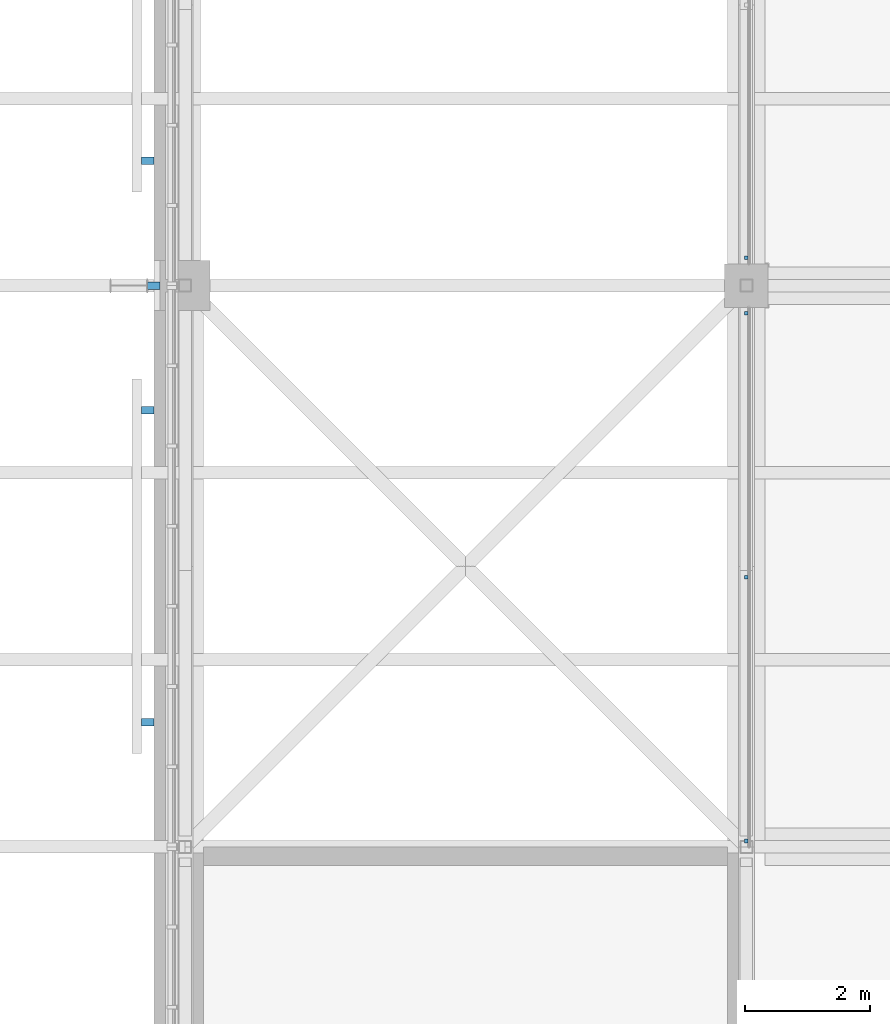
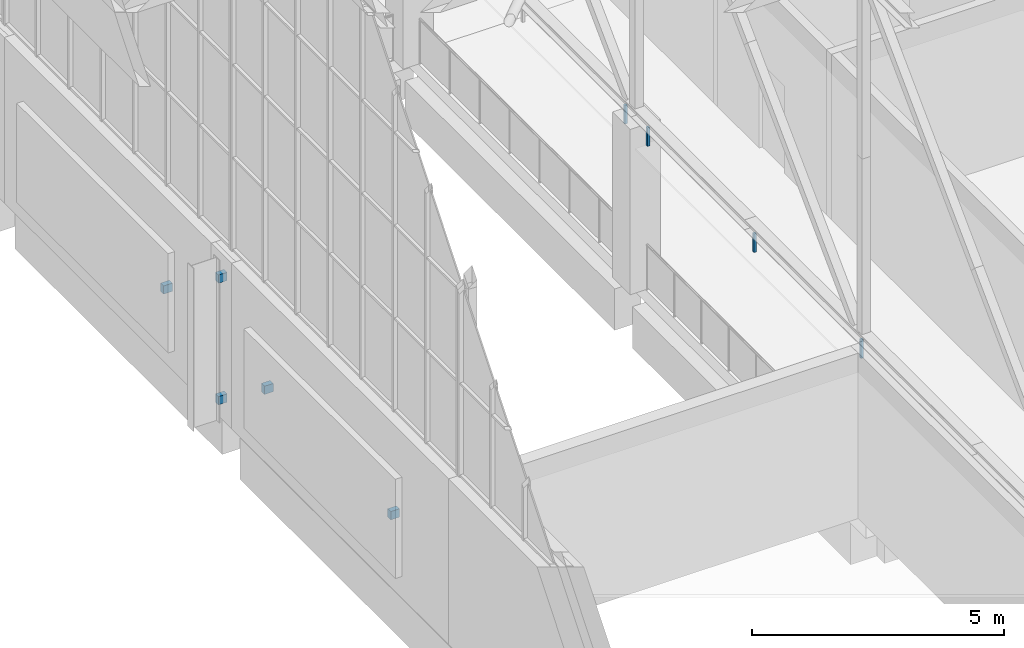
# One storey, part 199 of 646: 9 discrete accessories.
"""IFC4 building model written with IfcOpenShell, lengths in metres."""

from ifc_helpers import new_model, si_unit, direction, frame, origin, origin_2d, place, context, subcontext, project, spatial, rectangle, extrude, material, type_object, element, save


model = new_model("IFC4")

# Units and contexts
model_context = context("Model", 3, precision=1e-05, world=origin(), true_north=direction((0.0, 1.0)))
body_context = subcontext(model_context, "Body", "Model", "MODEL_VIEW")
ifc_project = project(units=[si_unit("LENGTHUNIT", "METRE"), si_unit("AREAUNIT", "SQUARE_METRE"), si_unit("VOLUMEUNIT", "CUBIC_METRE"), si_unit("PLANEANGLEUNIT", "RADIAN"), si_unit("MASSUNIT", "GRAM", prefix="KILO")], contexts=[model_context])

# Site, building, storey
site_placement = place(None, origin())
site = spatial("IfcSite", under=ifc_project, at=site_placement, CompositionType="ELEMENT")
building_placement = place(site_placement, origin())
building = spatial("IfcBuilding", under=site, at=building_placement, Name="Silverbay Arena", CompositionType="ELEMENT")
storey_placement = place(building_placement, frame((0.0, 0.0, 33.5)))
storey = spatial("IfcBuildingStorey", under=building, at=storey_placement, Name="L05", CompositionType="ELEMENT", Elevation=33.5)

# Discrete accessories
ifc_material_1 = material(Name="Steel S355", Category="steel")
discrete_accessory_type_1 = type_object("IfcDiscreteAccessoryType", Name="Ceiling hanger", PredefinedType="BRACKET", material=ifc_material_1)
for number, where, z_axis, x_axis, name in (
    (1, (63.0, 108.094970703125, 3.5498046875), (0.0, 0.0, 1.0), (1.0, 0.0, 0.0), "Ceiling hanger"),
    (2, (63.0, 112.324951171875, 3.5498046875), (0.0, 0.0, 1.0), (1.0, 0.0, 0.0), "Ceiling hanger"),
    (3, (63.0, 116.554931640625, 3.5498046875), (0.0, 0.0, 1.0), (1.0, 0.0, 0.0), "Ceiling hanger"),
    (4, (63.0, 117.445068359375, 3.5498046875), (0.0, 0.0, 1.0), (1.0, 0.0, 0.0), "Ceiling hanger"),
):
    element("IfcDiscreteAccessory", number, at=place(storey_placement, frame(where, z_axis=z_axis, x_axis=x_axis)), inside=storey, type_object=discrete_accessory_type_1, Name=name, PredefinedType="BRACKET", context=body_context, shape_type="SweptSolid", body=[
        extrude(rectangle(XDim=0.06005859375, YDim=0.06005859375, at=origin_2d()), origin(), (0.0, 0.0, 1.0), 0.449951171875),
    ])
ifc_material_2 = material(Name="Steel S355", Category="steel")
discrete_accessory_type_2 = type_object("IfcDiscreteAccessoryType", Name="Steel bracket plate", PredefinedType="BRACKET", material=ifc_material_2)
for number, where, z_axis, x_axis, name in (
    (5, (53.39990234375, 110.0, 1.89990234375), (0.0, 0.0, 1.0), (0.0, 1.0, 0.0), "Louvre support bracket"),
    (6, (53.39990234375, 115.0, 1.89990234375), (0.0, 0.0, 1.0), (0.0, 1.0, 0.0), "Louvre support bracket"),
    (7, (53.39990234375, 119.0, 1.89990234375), (0.0, 0.0, 1.0), (0.0, 1.0, 0.0), "Louvre support bracket"),
):
    element("IfcDiscreteAccessory", number, at=place(storey_placement, frame(where, z_axis=z_axis, x_axis=x_axis)), inside=storey, type_object=discrete_accessory_type_2, Name=name, PredefinedType="BRACKET", context=body_context, shape_type="SweptSolid", body=[
        extrude(rectangle(XDim=0.1201171875, YDim=0.199951171875, at=origin_2d()), origin(), (0.0, 0.0, 1.0), 0.199951171875),
    ])
for number, where, z_axis, x_axis, name in (
    (8, (53.5, 117.0, 0.39990234375), (0.0, 0.0, 1.0), (1.0, 0.0, 0.0), "Fin bracket"),
    (9, (53.5, 117.0, 3.33984375), (0.0, 0.0, 1.0), (1.0, 0.0, 0.0), "Fin bracket"),
):
    element("IfcDiscreteAccessory", number, at=place(storey_placement, frame(where, z_axis=z_axis, x_axis=x_axis)), inside=storey, type_object=discrete_accessory_type_2, Name=name, PredefinedType="BRACKET", context=body_context, shape_type="SweptSolid", body=[
        extrude(rectangle(XDim=0.199951171875, YDim=0.1201171875, at=origin_2d()), origin(), (0.0, 0.0, 1.0), 0.199951171875),
    ])

save(model, "model.ifc")
